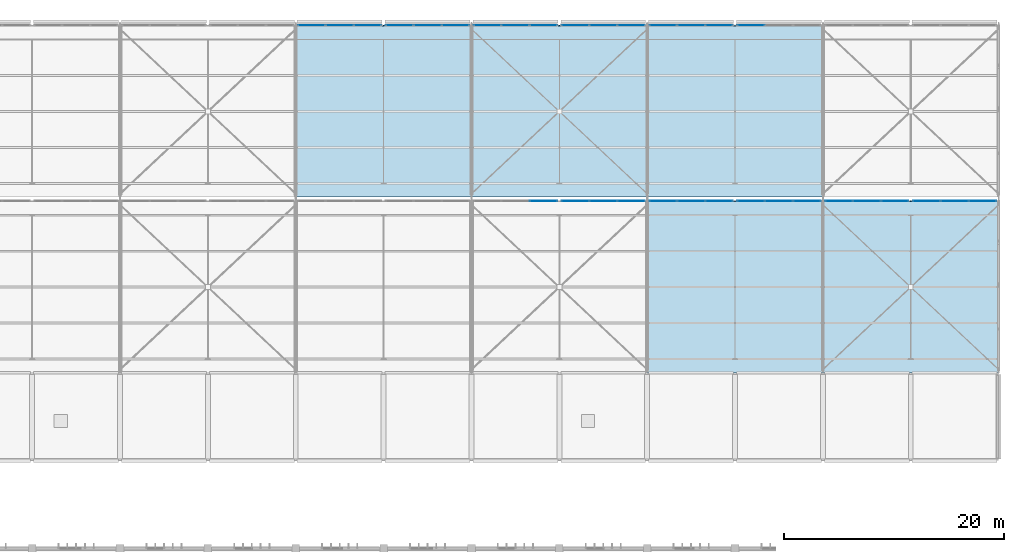
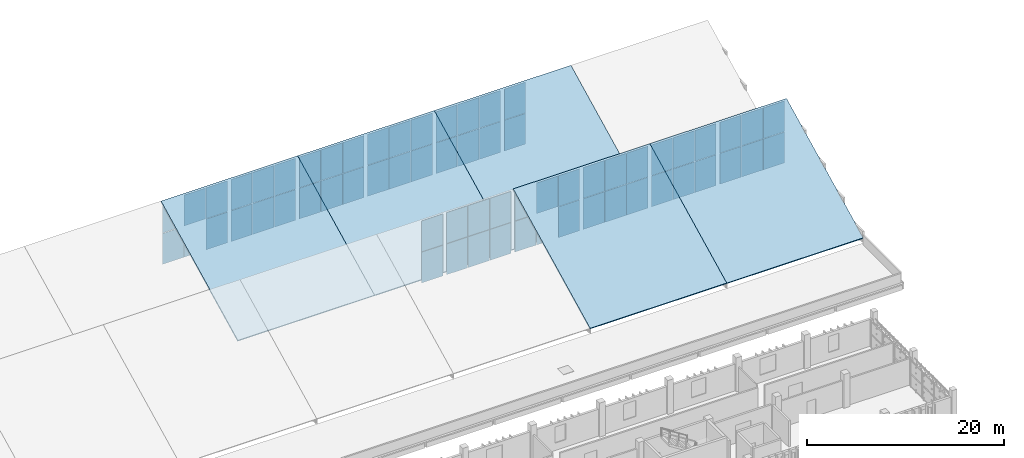
# One storey, part 98 of 137: 64 plates, 5 slabs, 12 elements without a shape of their own.
"""IFC4 building model written with IfcOpenShell, lengths in metres."""

from ifc_helpers import new_model, si_unit, direction, frame, origin, origin_2d, place, context, subcontext, project, spatial, polyline, rectangle, outline, extrude, material, layer, layer_set, type_object, element, aggregate, save


model = new_model("IFC4")

# Units and contexts
model_context = context("Model", 3, precision=1e-05, world=origin(), true_north=direction((0.0, 1.0)))
body_context = subcontext(model_context, "Body", "Model", "MODEL_VIEW")
ifc_project = project(units=[si_unit("LENGTHUNIT", "METRE"), si_unit("AREAUNIT", "SQUARE_METRE"), si_unit("VOLUMEUNIT", "CUBIC_METRE"), si_unit("PLANEANGLEUNIT", "RADIAN"), si_unit("MASSUNIT", "GRAM", prefix="KILO")], contexts=[model_context])

# Site, building, storey
site_placement = place(None, origin())
site = spatial("IfcSite", under=ifc_project, at=site_placement, CompositionType="ELEMENT")
building_placement = place(site_placement, origin())
building = spatial("IfcBuilding", under=site, at=building_placement, Name="Jelvoka-Kovrelna Polytechnic", CompositionType="ELEMENT")
storey_placement = place(building_placement, frame((0.0, 0.0, 9.60009765625)))
storey = spatial("IfcBuildingStorey", under=building, at=storey_placement, Name="L03", CompositionType="ELEMENT", Elevation=9.60009765625)

# Curtain wall, plates
ifc_material_1 = material(Name="Anodised aluminium 6063-T6", Category="aluminium")
ifc_layer_1 = layer(ifc_material_1, 0.199951171875)
ifc_layer_set_1 = layer_set([ifc_layer_1], Name="Anodised aluminium 6063-T6")
curtain_wall_type = type_object("IfcCurtainWallType", Name="CW_Clerestory", PredefinedType="NOTDEFINED", material=ifc_layer_set_1)
curtain_wall_1_placement = place(storey_placement, origin())
curtain_wall_1 = element("IfcCurtainWall", 1, at=curtain_wall_1_placement, inside=storey, type_object=curtain_wall_type, Name="L03 glazed curtain wall 196", PredefinedType="NOTDEFINED")
ifc_material_2 = material(Name="Solar-control double glazing", Category="glass")
ifc_layer_2 = layer(ifc_material_2, 0.035888671875)
ifc_layer_set_2 = layer_set([ifc_layer_2], Name="Solar-control double glazing")
plate_type = type_object("IfcPlateType", Name="Panel_GP-03", PredefinedType="CURTAIN_PANEL", material=ifc_layer_set_2)
plate_1_placement = place(storey_placement, frame((137.450927734375, 119.64990234375, 0.511962890625), z_axis=(0.0, 0.0, 1.0), x_axis=(1.0, 0.0, 0.0)))
plate_1 = element("IfcPlate", 2, at=plate_1_placement, type_object=plate_type, Name="CW-03 panel 1.1", PredefinedType="CURTAIN_PANEL", context=body_context, shape_type="SweptSolid", body=[
    extrude(rectangle(XDim=2.477783203125, YDim=0.035888671875, at=origin_2d()), origin(), (0.0, 0.0, 1.0), 3.81103515625),
])
plate_2_placement = place(storey_placement, frame((137.450927734375, 119.64990234375, 4.376953125), z_axis=(0.0, 0.0, 1.0), x_axis=(1.0, 0.0, 0.0)))
plate_2 = element("IfcPlate", 3, at=plate_2_placement, type_object=plate_type, Name="CW-03 panel 1.2", PredefinedType="CURTAIN_PANEL", context=body_context, shape_type="SweptSolid", body=[
    extrude(rectangle(XDim=2.477783203125, YDim=0.035888671875, at=origin_2d()), origin(), (0.0, 0.0, 1.0), 3.81103515625),
])
plate_3_placement = place(storey_placement, frame((140.0, 119.64990234375, 0.511962890625), z_axis=(0.0, 0.0, 1.0), x_axis=(1.0, 0.0, 0.0)))
plate_3 = element("IfcPlate", 4, at=plate_3_placement, type_object=plate_type, Name="CW-03 panel 2.1", PredefinedType="CURTAIN_PANEL", context=body_context, shape_type="SweptSolid", body=[
    extrude(rectangle(XDim=2.5126953125, YDim=0.035888671875, at=origin_2d()), origin(), (0.0, 0.0, 1.0), 3.81103515625),
])
plate_4_placement = place(storey_placement, frame((140.0, 119.64990234375, 4.376953125), z_axis=(0.0, 0.0, 1.0), x_axis=(1.0, 0.0, 0.0)))
plate_4 = element("IfcPlate", 5, at=plate_4_placement, type_object=plate_type, Name="CW-03 panel 2.2", PredefinedType="CURTAIN_PANEL", context=body_context, shape_type="SweptSolid", body=[
    extrude(rectangle(XDim=2.5126953125, YDim=0.035888671875, at=origin_2d()), origin(), (0.0, 0.0, 1.0), 3.81103515625),
])
plate_5_placement = place(storey_placement, frame((142.549072265625, 119.64990234375, 0.511962890625), z_axis=(0.0, 0.0, 1.0), x_axis=(1.0, 0.0, 0.0)))
plate_5 = element("IfcPlate", 6, at=plate_5_placement, type_object=plate_type, Name="CW-03 panel 3.1", PredefinedType="CURTAIN_PANEL", context=body_context, shape_type="SweptSolid", body=[
    extrude(rectangle(XDim=2.477783203125, YDim=0.035888671875, at=origin_2d()), origin(), (0.0, 0.0, 1.0), 3.81103515625),
])
plate_6_placement = place(storey_placement, frame((142.549072265625, 119.64990234375, 4.376953125), z_axis=(0.0, 0.0, 1.0), x_axis=(1.0, 0.0, 0.0)))
plate_6 = element("IfcPlate", 7, at=plate_6_placement, type_object=plate_type, Name="CW-03 panel 3.2", PredefinedType="CURTAIN_PANEL", context=body_context, shape_type="SweptSolid", body=[
    extrude(rectangle(XDim=2.477783203125, YDim=0.035888671875, at=origin_2d()), origin(), (0.0, 0.0, 1.0), 3.81103515625),
])
aggregate(curtain_wall_1, [plate_1, plate_2, plate_3, plate_4, plate_5, plate_6])

curtain_wall_2_placement = place(storey_placement, origin())
curtain_wall_2 = element("IfcCurtainWall", 8, at=curtain_wall_2_placement, inside=storey, type_object=curtain_wall_type, Name="L03 glazed curtain wall 198", PredefinedType="NOTDEFINED")
plate_7_placement = place(storey_placement, frame((145.450927734375, 119.64990234375, 0.511962890625), z_axis=(0.0, 0.0, 1.0), x_axis=(1.0, 0.0, 0.0)))
plate_7 = element("IfcPlate", 9, at=plate_7_placement, type_object=plate_type, Name="CW-03 panel 1.1", PredefinedType="CURTAIN_PANEL", context=body_context, shape_type="SweptSolid", body=[
    extrude(rectangle(XDim=2.477783203125, YDim=0.035888671875, at=origin_2d()), origin(), (0.0, 0.0, 1.0), 3.81103515625),
])
plate_8_placement = place(storey_placement, frame((145.450927734375, 119.64990234375, 4.376953125), z_axis=(0.0, 0.0, 1.0), x_axis=(1.0, 0.0, 0.0)))
plate_8 = element("IfcPlate", 10, at=plate_8_placement, type_object=plate_type, Name="CW-03 panel 1.2", PredefinedType="CURTAIN_PANEL", context=body_context, shape_type="SweptSolid", body=[
    extrude(rectangle(XDim=2.477783203125, YDim=0.035888671875, at=origin_2d()), origin(), (0.0, 0.0, 1.0), 3.81103515625),
])
plate_9_placement = place(storey_placement, frame((148.0, 119.64990234375, 0.511962890625), z_axis=(0.0, 0.0, 1.0), x_axis=(1.0, 0.0, 0.0)))
plate_9 = element("IfcPlate", 11, at=plate_9_placement, type_object=plate_type, Name="CW-03 panel 2.1", PredefinedType="CURTAIN_PANEL", context=body_context, shape_type="SweptSolid", body=[
    extrude(rectangle(XDim=2.5126953125, YDim=0.035888671875, at=origin_2d()), origin(), (0.0, 0.0, 1.0), 3.81103515625),
])
plate_10_placement = place(storey_placement, frame((148.0, 119.64990234375, 4.376953125), z_axis=(0.0, 0.0, 1.0), x_axis=(1.0, 0.0, 0.0)))
plate_10 = element("IfcPlate", 12, at=plate_10_placement, type_object=plate_type, Name="CW-03 panel 2.2", PredefinedType="CURTAIN_PANEL", context=body_context, shape_type="SweptSolid", body=[
    extrude(rectangle(XDim=2.5126953125, YDim=0.035888671875, at=origin_2d()), origin(), (0.0, 0.0, 1.0), 3.81103515625),
])
plate_11_placement = place(storey_placement, frame((150.549072265625, 119.64990234375, 0.511962890625), z_axis=(0.0, 0.0, 1.0), x_axis=(1.0, 0.0, 0.0)))
plate_11 = element("IfcPlate", 13, at=plate_11_placement, type_object=plate_type, Name="CW-03 panel 3.1", PredefinedType="CURTAIN_PANEL", context=body_context, shape_type="SweptSolid", body=[
    extrude(rectangle(XDim=2.477783203125, YDim=0.035888671875, at=origin_2d()), origin(), (0.0, 0.0, 1.0), 3.81103515625),
])
plate_12_placement = place(storey_placement, frame((150.549072265625, 119.64990234375, 4.376953125), z_axis=(0.0, 0.0, 1.0), x_axis=(1.0, 0.0, 0.0)))
plate_12 = element("IfcPlate", 14, at=plate_12_placement, type_object=plate_type, Name="CW-03 panel 3.2", PredefinedType="CURTAIN_PANEL", context=body_context, shape_type="SweptSolid", body=[
    extrude(rectangle(XDim=2.477783203125, YDim=0.035888671875, at=origin_2d()), origin(), (0.0, 0.0, 1.0), 3.81103515625),
])
aggregate(curtain_wall_2, [plate_7, plate_8, plate_9, plate_10, plate_11, plate_12])

curtain_wall_3_placement = place(storey_placement, origin())
curtain_wall_3 = element("IfcCurtainWall", 15, at=curtain_wall_3_placement, inside=storey, type_object=curtain_wall_type, Name="L03 glazed curtain wall 199", PredefinedType="NOTDEFINED")
plate_13_placement = place(storey_placement, frame((158.549072265625, 103.64990234375, 0.511962890625), z_axis=(0.0, 0.0, 1.0), x_axis=(1.0, 0.0, 0.0)))
plate_13 = element("IfcPlate", 16, at=plate_13_placement, type_object=plate_type, Name="CW-03 panel 3.1", PredefinedType="CURTAIN_PANEL", context=body_context, shape_type="SweptSolid", body=[
    extrude(rectangle(XDim=2.477783203125, YDim=0.035888671875, at=origin_2d()), origin(), (0.0, 0.0, 1.0), 3.81103515625),
])
plate_14_placement = place(storey_placement, frame((158.549072265625, 103.64990234375, 4.376953125), z_axis=(0.0, 0.0, 1.0), x_axis=(1.0, 0.0, 0.0)))
plate_14 = element("IfcPlate", 17, at=plate_14_placement, type_object=plate_type, Name="CW-03 panel 3.2", PredefinedType="CURTAIN_PANEL", context=body_context, shape_type="SweptSolid", body=[
    extrude(rectangle(XDim=2.477783203125, YDim=0.035888671875, at=origin_2d()), origin(), (0.0, 0.0, 1.0), 3.81103515625),
])
aggregate(curtain_wall_3, [plate_13, plate_14])

curtain_wall_4_placement = place(storey_placement, origin())
curtain_wall_4 = element("IfcCurtainWall", 18, at=curtain_wall_4_placement, inside=storey, type_object=curtain_wall_type, Name="L03 glazed curtain wall 200", PredefinedType="NOTDEFINED")
plate_15_placement = place(storey_placement, frame((153.450927734375, 119.64990234375, 0.511962890625), z_axis=(0.0, 0.0, 1.0), x_axis=(1.0, 0.0, 0.0)))
plate_15 = element("IfcPlate", 19, at=plate_15_placement, type_object=plate_type, Name="CW-03 panel 1.1", PredefinedType="CURTAIN_PANEL", context=body_context, shape_type="SweptSolid", body=[
    extrude(rectangle(XDim=2.477783203125, YDim=0.035888671875, at=origin_2d()), origin(), (0.0, 0.0, 1.0), 3.81103515625),
])
plate_16_placement = place(storey_placement, frame((153.450927734375, 119.64990234375, 4.376953125), z_axis=(0.0, 0.0, 1.0), x_axis=(1.0, 0.0, 0.0)))
plate_16 = element("IfcPlate", 20, at=plate_16_placement, type_object=plate_type, Name="CW-03 panel 1.2", PredefinedType="CURTAIN_PANEL", context=body_context, shape_type="SweptSolid", body=[
    extrude(rectangle(XDim=2.477783203125, YDim=0.035888671875, at=origin_2d()), origin(), (0.0, 0.0, 1.0), 3.81103515625),
])
plate_17_placement = place(storey_placement, frame((156.0, 119.64990234375, 0.511962890625), z_axis=(0.0, 0.0, 1.0), x_axis=(1.0, 0.0, 0.0)))
plate_17 = element("IfcPlate", 21, at=plate_17_placement, type_object=plate_type, Name="CW-03 panel 2.1", PredefinedType="CURTAIN_PANEL", context=body_context, shape_type="SweptSolid", body=[
    extrude(rectangle(XDim=2.5126953125, YDim=0.035888671875, at=origin_2d()), origin(), (0.0, 0.0, 1.0), 3.81103515625),
])
plate_18_placement = place(storey_placement, frame((156.0, 119.64990234375, 4.376953125), z_axis=(0.0, 0.0, 1.0), x_axis=(1.0, 0.0, 0.0)))
plate_18 = element("IfcPlate", 22, at=plate_18_placement, type_object=plate_type, Name="CW-03 panel 2.2", PredefinedType="CURTAIN_PANEL", context=body_context, shape_type="SweptSolid", body=[
    extrude(rectangle(XDim=2.5126953125, YDim=0.035888671875, at=origin_2d()), origin(), (0.0, 0.0, 1.0), 3.81103515625),
])
plate_19_placement = place(storey_placement, frame((158.549072265625, 119.64990234375, 0.511962890625), z_axis=(0.0, 0.0, 1.0), x_axis=(1.0, 0.0, 0.0)))
plate_19 = element("IfcPlate", 23, at=plate_19_placement, type_object=plate_type, Name="CW-03 panel 3.1", PredefinedType="CURTAIN_PANEL", context=body_context, shape_type="SweptSolid", body=[
    extrude(rectangle(XDim=2.477783203125, YDim=0.035888671875, at=origin_2d()), origin(), (0.0, 0.0, 1.0), 3.81103515625),
])
plate_20_placement = place(storey_placement, frame((158.549072265625, 119.64990234375, 4.376953125), z_axis=(0.0, 0.0, 1.0), x_axis=(1.0, 0.0, 0.0)))
plate_20 = element("IfcPlate", 24, at=plate_20_placement, type_object=plate_type, Name="CW-03 panel 3.2", PredefinedType="CURTAIN_PANEL", context=body_context, shape_type="SweptSolid", body=[
    extrude(rectangle(XDim=2.477783203125, YDim=0.035888671875, at=origin_2d()), origin(), (0.0, 0.0, 1.0), 3.81103515625),
])
aggregate(curtain_wall_4, [plate_15, plate_16, plate_17, plate_18, plate_19, plate_20])

curtain_wall_5_placement = place(storey_placement, origin())
curtain_wall_5 = element("IfcCurtainWall", 25, at=curtain_wall_5_placement, inside=storey, type_object=curtain_wall_type, Name="L03 glazed curtain wall 201", PredefinedType="NOTDEFINED")
plate_21_placement = place(storey_placement, frame((161.450927734375, 103.64990234375, 0.511962890625), z_axis=(0.0, 0.0, 1.0), x_axis=(1.0, 0.0, 0.0)))
plate_21 = element("IfcPlate", 26, at=plate_21_placement, type_object=plate_type, Name="CW-03 panel 1.1", PredefinedType="CURTAIN_PANEL", context=body_context, shape_type="SweptSolid", body=[
    extrude(rectangle(XDim=2.477783203125, YDim=0.035888671875, at=origin_2d()), origin(), (0.0, 0.0, 1.0), 3.81103515625),
])
plate_22_placement = place(storey_placement, frame((161.450927734375, 103.64990234375, 4.376953125), z_axis=(0.0, 0.0, 1.0), x_axis=(1.0, 0.0, 0.0)))
plate_22 = element("IfcPlate", 27, at=plate_22_placement, type_object=plate_type, Name="CW-03 panel 1.2", PredefinedType="CURTAIN_PANEL", context=body_context, shape_type="SweptSolid", body=[
    extrude(rectangle(XDim=2.477783203125, YDim=0.035888671875, at=origin_2d()), origin(), (0.0, 0.0, 1.0), 3.81103515625),
])
plate_23_placement = place(storey_placement, frame((164.0, 103.64990234375, 0.511962890625), z_axis=(0.0, 0.0, 1.0), x_axis=(1.0, 0.0, 0.0)))
plate_23 = element("IfcPlate", 28, at=plate_23_placement, type_object=plate_type, Name="CW-03 panel 2.1", PredefinedType="CURTAIN_PANEL", context=body_context, shape_type="SweptSolid", body=[
    extrude(rectangle(XDim=2.5126953125, YDim=0.035888671875, at=origin_2d()), origin(), (0.0, 0.0, 1.0), 3.81103515625),
])
plate_24_placement = place(storey_placement, frame((164.0, 103.64990234375, 4.376953125), z_axis=(0.0, 0.0, 1.0), x_axis=(1.0, 0.0, 0.0)))
plate_24 = element("IfcPlate", 29, at=plate_24_placement, type_object=plate_type, Name="CW-03 panel 2.2", PredefinedType="CURTAIN_PANEL", context=body_context, shape_type="SweptSolid", body=[
    extrude(rectangle(XDim=2.5126953125, YDim=0.035888671875, at=origin_2d()), origin(), (0.0, 0.0, 1.0), 3.81103515625),
])
plate_25_placement = place(storey_placement, frame((166.549072265625, 103.64990234375, 0.511962890625), z_axis=(0.0, 0.0, 1.0), x_axis=(1.0, 0.0, 0.0)))
plate_25 = element("IfcPlate", 30, at=plate_25_placement, type_object=plate_type, Name="CW-03 panel 3.1", PredefinedType="CURTAIN_PANEL", context=body_context, shape_type="SweptSolid", body=[
    extrude(rectangle(XDim=2.477783203125, YDim=0.035888671875, at=origin_2d()), origin(), (0.0, 0.0, 1.0), 3.81103515625),
])
plate_26_placement = place(storey_placement, frame((166.549072265625, 103.64990234375, 4.376953125), z_axis=(0.0, 0.0, 1.0), x_axis=(1.0, 0.0, 0.0)))
plate_26 = element("IfcPlate", 31, at=plate_26_placement, type_object=plate_type, Name="CW-03 panel 3.2", PredefinedType="CURTAIN_PANEL", context=body_context, shape_type="SweptSolid", body=[
    extrude(rectangle(XDim=2.477783203125, YDim=0.035888671875, at=origin_2d()), origin(), (0.0, 0.0, 1.0), 3.81103515625),
])
aggregate(curtain_wall_5, [plate_21, plate_22, plate_23, plate_24, plate_25, plate_26])

curtain_wall_6_placement = place(storey_placement, origin())
curtain_wall_6 = element("IfcCurtainWall", 32, at=curtain_wall_6_placement, inside=storey, type_object=curtain_wall_type, Name="L03 glazed curtain wall 202", PredefinedType="NOTDEFINED")
plate_27_placement = place(storey_placement, frame((161.450927734375, 119.64990234375, 0.511962890625), z_axis=(0.0, 0.0, 1.0), x_axis=(1.0, 0.0, 0.0)))
plate_27 = element("IfcPlate", 33, at=plate_27_placement, type_object=plate_type, Name="CW-03 panel 1.1", PredefinedType="CURTAIN_PANEL", context=body_context, shape_type="SweptSolid", body=[
    extrude(rectangle(XDim=2.477783203125, YDim=0.035888671875, at=origin_2d()), origin(), (0.0, 0.0, 1.0), 3.81103515625),
])
plate_28_placement = place(storey_placement, frame((161.450927734375, 119.64990234375, 4.376953125), z_axis=(0.0, 0.0, 1.0), x_axis=(1.0, 0.0, 0.0)))
plate_28 = element("IfcPlate", 34, at=plate_28_placement, type_object=plate_type, Name="CW-03 panel 1.2", PredefinedType="CURTAIN_PANEL", context=body_context, shape_type="SweptSolid", body=[
    extrude(rectangle(XDim=2.477783203125, YDim=0.035888671875, at=origin_2d()), origin(), (0.0, 0.0, 1.0), 3.81103515625),
])
plate_29_placement = place(storey_placement, frame((164.0, 119.64990234375, 0.511962890625), z_axis=(0.0, 0.0, 1.0), x_axis=(1.0, 0.0, 0.0)))
plate_29 = element("IfcPlate", 35, at=plate_29_placement, type_object=plate_type, Name="CW-03 panel 2.1", PredefinedType="CURTAIN_PANEL", context=body_context, shape_type="SweptSolid", body=[
    extrude(rectangle(XDim=2.5126953125, YDim=0.035888671875, at=origin_2d()), origin(), (0.0, 0.0, 1.0), 3.81103515625),
])
plate_30_placement = place(storey_placement, frame((164.0, 119.64990234375, 4.376953125), z_axis=(0.0, 0.0, 1.0), x_axis=(1.0, 0.0, 0.0)))
plate_30 = element("IfcPlate", 36, at=plate_30_placement, type_object=plate_type, Name="CW-03 panel 2.2", PredefinedType="CURTAIN_PANEL", context=body_context, shape_type="SweptSolid", body=[
    extrude(rectangle(XDim=2.5126953125, YDim=0.035888671875, at=origin_2d()), origin(), (0.0, 0.0, 1.0), 3.81103515625),
])
plate_31_placement = place(storey_placement, frame((166.549072265625, 119.64990234375, 0.511962890625), z_axis=(0.0, 0.0, 1.0), x_axis=(1.0, 0.0, 0.0)))
plate_31 = element("IfcPlate", 37, at=plate_31_placement, type_object=plate_type, Name="CW-03 panel 3.1", PredefinedType="CURTAIN_PANEL", context=body_context, shape_type="SweptSolid", body=[
    extrude(rectangle(XDim=2.477783203125, YDim=0.035888671875, at=origin_2d()), origin(), (0.0, 0.0, 1.0), 3.81103515625),
])
plate_32_placement = place(storey_placement, frame((166.549072265625, 119.64990234375, 4.376953125), z_axis=(0.0, 0.0, 1.0), x_axis=(1.0, 0.0, 0.0)))
plate_32 = element("IfcPlate", 38, at=plate_32_placement, type_object=plate_type, Name="CW-03 panel 3.2", PredefinedType="CURTAIN_PANEL", context=body_context, shape_type="SweptSolid", body=[
    extrude(rectangle(XDim=2.477783203125, YDim=0.035888671875, at=origin_2d()), origin(), (0.0, 0.0, 1.0), 3.81103515625),
])
aggregate(curtain_wall_6, [plate_27, plate_28, plate_29, plate_30, plate_31, plate_32])

curtain_wall_7_placement = place(storey_placement, origin())
curtain_wall_7 = element("IfcCurtainWall", 39, at=curtain_wall_7_placement, inside=storey, type_object=curtain_wall_type, Name="L03 glazed curtain wall 203", PredefinedType="NOTDEFINED")
plate_33_placement = place(storey_placement, frame((169.450927734375, 103.64990234375, 0.511962890625), z_axis=(0.0, 0.0, 1.0), x_axis=(1.0, 0.0, 0.0)))
plate_33 = element("IfcPlate", 40, at=plate_33_placement, type_object=plate_type, Name="CW-03 panel 1.1", PredefinedType="CURTAIN_PANEL", context=body_context, shape_type="SweptSolid", body=[
    extrude(rectangle(XDim=2.477783203125, YDim=0.035888671875, at=origin_2d()), origin(), (0.0, 0.0, 1.0), 3.81103515625),
])
plate_34_placement = place(storey_placement, frame((169.450927734375, 103.64990234375, 4.376953125), z_axis=(0.0, 0.0, 1.0), x_axis=(1.0, 0.0, 0.0)))
plate_34 = element("IfcPlate", 41, at=plate_34_placement, type_object=plate_type, Name="CW-03 panel 1.2", PredefinedType="CURTAIN_PANEL", context=body_context, shape_type="SweptSolid", body=[
    extrude(rectangle(XDim=2.477783203125, YDim=0.035888671875, at=origin_2d()), origin(), (0.0, 0.0, 1.0), 3.81103515625),
])
plate_35_placement = place(storey_placement, frame((172.0, 103.64990234375, 0.511962890625), z_axis=(0.0, 0.0, 1.0), x_axis=(1.0, 0.0, 0.0)))
plate_35 = element("IfcPlate", 42, at=plate_35_placement, type_object=plate_type, Name="CW-03 panel 2.1", PredefinedType="CURTAIN_PANEL", context=body_context, shape_type="SweptSolid", body=[
    extrude(rectangle(XDim=2.5126953125, YDim=0.035888671875, at=origin_2d()), origin(), (0.0, 0.0, 1.0), 3.81103515625),
])
plate_36_placement = place(storey_placement, frame((172.0, 103.64990234375, 4.376953125), z_axis=(0.0, 0.0, 1.0), x_axis=(1.0, 0.0, 0.0)))
plate_36 = element("IfcPlate", 43, at=plate_36_placement, type_object=plate_type, Name="CW-03 panel 2.2", PredefinedType="CURTAIN_PANEL", context=body_context, shape_type="SweptSolid", body=[
    extrude(rectangle(XDim=2.5126953125, YDim=0.035888671875, at=origin_2d()), origin(), (0.0, 0.0, 1.0), 3.81103515625),
])
plate_37_placement = place(storey_placement, frame((174.549072265625, 103.64990234375, 0.511962890625), z_axis=(0.0, 0.0, 1.0), x_axis=(1.0, 0.0, 0.0)))
plate_37 = element("IfcPlate", 44, at=plate_37_placement, type_object=plate_type, Name="CW-03 panel 3.1", PredefinedType="CURTAIN_PANEL", context=body_context, shape_type="SweptSolid", body=[
    extrude(rectangle(XDim=2.477783203125, YDim=0.035888671875, at=origin_2d()), origin(), (0.0, 0.0, 1.0), 3.81103515625),
])
plate_38_placement = place(storey_placement, frame((174.549072265625, 103.64990234375, 4.376953125), z_axis=(0.0, 0.0, 1.0), x_axis=(1.0, 0.0, 0.0)))
plate_38 = element("IfcPlate", 45, at=plate_38_placement, type_object=plate_type, Name="CW-03 panel 3.2", PredefinedType="CURTAIN_PANEL", context=body_context, shape_type="SweptSolid", body=[
    extrude(rectangle(XDim=2.477783203125, YDim=0.035888671875, at=origin_2d()), origin(), (0.0, 0.0, 1.0), 3.81103515625),
])
aggregate(curtain_wall_7, [plate_33, plate_34, plate_35, plate_36, plate_37, plate_38])

curtain_wall_8_placement = place(storey_placement, origin())
curtain_wall_8 = element("IfcCurtainWall", 46, at=curtain_wall_8_placement, inside=storey, type_object=curtain_wall_type, Name="L03 glazed curtain wall 204", PredefinedType="NOTDEFINED")
plate_39_placement = place(storey_placement, frame((169.450927734375, 119.64990234375, 0.511962890625), z_axis=(0.0, 0.0, 1.0), x_axis=(1.0, 0.0, 0.0)))
plate_39 = element("IfcPlate", 47, at=plate_39_placement, type_object=plate_type, Name="CW-03 panel 1.1", PredefinedType="CURTAIN_PANEL", context=body_context, shape_type="SweptSolid", body=[
    extrude(rectangle(XDim=2.477783203125, YDim=0.035888671875, at=origin_2d()), origin(), (0.0, 0.0, 1.0), 3.81103515625),
])
plate_40_placement = place(storey_placement, frame((169.450927734375, 119.64990234375, 4.376953125), z_axis=(0.0, 0.0, 1.0), x_axis=(1.0, 0.0, 0.0)))
plate_40 = element("IfcPlate", 48, at=plate_40_placement, type_object=plate_type, Name="CW-03 panel 1.2", PredefinedType="CURTAIN_PANEL", context=body_context, shape_type="SweptSolid", body=[
    extrude(rectangle(XDim=2.477783203125, YDim=0.035888671875, at=origin_2d()), origin(), (0.0, 0.0, 1.0), 3.81103515625),
])
plate_41_placement = place(storey_placement, frame((172.0, 119.64990234375, 0.511962890625), z_axis=(0.0, 0.0, 1.0), x_axis=(1.0, 0.0, 0.0)))
plate_41 = element("IfcPlate", 49, at=plate_41_placement, type_object=plate_type, Name="CW-03 panel 2.1", PredefinedType="CURTAIN_PANEL", context=body_context, shape_type="SweptSolid", body=[
    extrude(rectangle(XDim=2.5126953125, YDim=0.035888671875, at=origin_2d()), origin(), (0.0, 0.0, 1.0), 3.81103515625),
])
plate_42_placement = place(storey_placement, frame((172.0, 119.64990234375, 4.376953125), z_axis=(0.0, 0.0, 1.0), x_axis=(1.0, 0.0, 0.0)))
plate_42 = element("IfcPlate", 50, at=plate_42_placement, type_object=plate_type, Name="CW-03 panel 2.2", PredefinedType="CURTAIN_PANEL", context=body_context, shape_type="SweptSolid", body=[
    extrude(rectangle(XDim=2.5126953125, YDim=0.035888671875, at=origin_2d()), origin(), (0.0, 0.0, 1.0), 3.81103515625),
])
plate_43_placement = place(storey_placement, frame((174.549072265625, 119.64990234375, 0.511962890625), z_axis=(0.0, 0.0, 1.0), x_axis=(1.0, 0.0, 0.0)))
plate_43 = element("IfcPlate", 51, at=plate_43_placement, type_object=plate_type, Name="CW-03 panel 3.1", PredefinedType="CURTAIN_PANEL", context=body_context, shape_type="SweptSolid", body=[
    extrude(rectangle(XDim=2.477783203125, YDim=0.035888671875, at=origin_2d()), origin(), (0.0, 0.0, 1.0), 3.81103515625),
])
plate_44_placement = place(storey_placement, frame((174.549072265625, 119.64990234375, 4.376953125), z_axis=(0.0, 0.0, 1.0), x_axis=(1.0, 0.0, 0.0)))
plate_44 = element("IfcPlate", 52, at=plate_44_placement, type_object=plate_type, Name="CW-03 panel 3.2", PredefinedType="CURTAIN_PANEL", context=body_context, shape_type="SweptSolid", body=[
    extrude(rectangle(XDim=2.477783203125, YDim=0.035888671875, at=origin_2d()), origin(), (0.0, 0.0, 1.0), 3.81103515625),
])
aggregate(curtain_wall_8, [plate_39, plate_40, plate_41, plate_42, plate_43, plate_44])

curtain_wall_9_placement = place(storey_placement, origin())
curtain_wall_9 = element("IfcCurtainWall", 53, at=curtain_wall_9_placement, inside=storey, type_object=curtain_wall_type, Name="L03 glazed curtain wall 205", PredefinedType="NOTDEFINED")
plate_45_placement = place(storey_placement, frame((177.450927734375, 103.64990234375, 0.511962890625), z_axis=(0.0, 0.0, 1.0), x_axis=(1.0, 0.0, 0.0)))
plate_45 = element("IfcPlate", 54, at=plate_45_placement, type_object=plate_type, Name="CW-03 panel 1.1", PredefinedType="CURTAIN_PANEL", context=body_context, shape_type="SweptSolid", body=[
    extrude(rectangle(XDim=2.477783203125, YDim=0.035888671875, at=origin_2d()), origin(), (0.0, 0.0, 1.0), 3.81103515625),
])
plate_46_placement = place(storey_placement, frame((177.450927734375, 103.64990234375, 4.376953125), z_axis=(0.0, 0.0, 1.0), x_axis=(1.0, 0.0, 0.0)))
plate_46 = element("IfcPlate", 55, at=plate_46_placement, type_object=plate_type, Name="CW-03 panel 1.2", PredefinedType="CURTAIN_PANEL", context=body_context, shape_type="SweptSolid", body=[
    extrude(rectangle(XDim=2.477783203125, YDim=0.035888671875, at=origin_2d()), origin(), (0.0, 0.0, 1.0), 3.81103515625),
])
plate_47_placement = place(storey_placement, frame((180.0, 103.64990234375, 0.511962890625), z_axis=(0.0, 0.0, 1.0), x_axis=(1.0, 0.0, 0.0)))
plate_47 = element("IfcPlate", 56, at=plate_47_placement, type_object=plate_type, Name="CW-03 panel 2.1", PredefinedType="CURTAIN_PANEL", context=body_context, shape_type="SweptSolid", body=[
    extrude(rectangle(XDim=2.5126953125, YDim=0.035888671875, at=origin_2d()), origin(), (0.0, 0.0, 1.0), 3.81103515625),
])
plate_48_placement = place(storey_placement, frame((180.0, 103.64990234375, 4.376953125), z_axis=(0.0, 0.0, 1.0), x_axis=(1.0, 0.0, 0.0)))
plate_48 = element("IfcPlate", 57, at=plate_48_placement, type_object=plate_type, Name="CW-03 panel 2.2", PredefinedType="CURTAIN_PANEL", context=body_context, shape_type="SweptSolid", body=[
    extrude(rectangle(XDim=2.5126953125, YDim=0.035888671875, at=origin_2d()), origin(), (0.0, 0.0, 1.0), 3.81103515625),
])
plate_49_placement = place(storey_placement, frame((182.549072265625, 103.64990234375, 0.511962890625), z_axis=(0.0, 0.0, 1.0), x_axis=(1.0, 0.0, 0.0)))
plate_49 = element("IfcPlate", 58, at=plate_49_placement, type_object=plate_type, Name="CW-03 panel 3.1", PredefinedType="CURTAIN_PANEL", context=body_context, shape_type="SweptSolid", body=[
    extrude(rectangle(XDim=2.477783203125, YDim=0.035888671875, at=origin_2d()), origin(), (0.0, 0.0, 1.0), 3.81103515625),
])
plate_50_placement = place(storey_placement, frame((182.549072265625, 103.64990234375, 4.376953125), z_axis=(0.0, 0.0, 1.0), x_axis=(1.0, 0.0, 0.0)))
plate_50 = element("IfcPlate", 59, at=plate_50_placement, type_object=plate_type, Name="CW-03 panel 3.2", PredefinedType="CURTAIN_PANEL", context=body_context, shape_type="SweptSolid", body=[
    extrude(rectangle(XDim=2.477783203125, YDim=0.035888671875, at=origin_2d()), origin(), (0.0, 0.0, 1.0), 3.81103515625),
])
aggregate(curtain_wall_9, [plate_45, plate_46, plate_47, plate_48, plate_49, plate_50])

curtain_wall_10_placement = place(storey_placement, origin())
curtain_wall_10 = element("IfcCurtainWall", 60, at=curtain_wall_10_placement, inside=storey, type_object=curtain_wall_type, Name="L03 glazed curtain wall 206", PredefinedType="NOTDEFINED")
plate_51_placement = place(storey_placement, frame((177.450927734375, 119.64990234375, 0.511962890625), z_axis=(0.0, 0.0, 1.0), x_axis=(1.0, 0.0, 0.0)))
plate_51 = element("IfcPlate", 61, at=plate_51_placement, type_object=plate_type, Name="CW-03 panel 1.1", PredefinedType="CURTAIN_PANEL", context=body_context, shape_type="SweptSolid", body=[
    extrude(rectangle(XDim=2.477783203125, YDim=0.035888671875, at=origin_2d()), origin(), (0.0, 0.0, 1.0), 3.81103515625),
])
plate_52_placement = place(storey_placement, frame((177.450927734375, 119.64990234375, 4.376953125), z_axis=(0.0, 0.0, 1.0), x_axis=(1.0, 0.0, 0.0)))
plate_52 = element("IfcPlate", 62, at=plate_52_placement, type_object=plate_type, Name="CW-03 panel 1.2", PredefinedType="CURTAIN_PANEL", context=body_context, shape_type="SweptSolid", body=[
    extrude(rectangle(XDim=2.477783203125, YDim=0.035888671875, at=origin_2d()), origin(), (0.0, 0.0, 1.0), 3.81103515625),
])
aggregate(curtain_wall_10, [plate_51, plate_52])

curtain_wall_11_placement = place(storey_placement, origin())
curtain_wall_11 = element("IfcCurtainWall", 63, at=curtain_wall_11_placement, inside=storey, type_object=curtain_wall_type, Name="L03 glazed curtain wall 207", PredefinedType="NOTDEFINED")
plate_53_placement = place(storey_placement, frame((185.450927734375, 103.64990234375, 0.511962890625), z_axis=(0.0, 0.0, 1.0), x_axis=(1.0, 0.0, 0.0)))
plate_53 = element("IfcPlate", 64, at=plate_53_placement, type_object=plate_type, Name="CW-03 panel 1.1", PredefinedType="CURTAIN_PANEL", context=body_context, shape_type="SweptSolid", body=[
    extrude(rectangle(XDim=2.477783203125, YDim=0.035888671875, at=origin_2d()), origin(), (0.0, 0.0, 1.0), 3.81103515625),
])
plate_54_placement = place(storey_placement, frame((185.450927734375, 103.64990234375, 4.376953125), z_axis=(0.0, 0.0, 1.0), x_axis=(1.0, 0.0, 0.0)))
plate_54 = element("IfcPlate", 65, at=plate_54_placement, type_object=plate_type, Name="CW-03 panel 1.2", PredefinedType="CURTAIN_PANEL", context=body_context, shape_type="SweptSolid", body=[
    extrude(rectangle(XDim=2.477783203125, YDim=0.035888671875, at=origin_2d()), origin(), (0.0, 0.0, 1.0), 3.81103515625),
])
plate_55_placement = place(storey_placement, frame((188.0, 103.64990234375, 0.511962890625), z_axis=(0.0, 0.0, 1.0), x_axis=(1.0, 0.0, 0.0)))
plate_55 = element("IfcPlate", 66, at=plate_55_placement, type_object=plate_type, Name="CW-03 panel 2.1", PredefinedType="CURTAIN_PANEL", context=body_context, shape_type="SweptSolid", body=[
    extrude(rectangle(XDim=2.5126953125, YDim=0.035888671875, at=origin_2d()), origin(), (0.0, 0.0, 1.0), 3.81103515625),
])
plate_56_placement = place(storey_placement, frame((188.0, 103.64990234375, 4.376953125), z_axis=(0.0, 0.0, 1.0), x_axis=(1.0, 0.0, 0.0)))
plate_56 = element("IfcPlate", 67, at=plate_56_placement, type_object=plate_type, Name="CW-03 panel 2.2", PredefinedType="CURTAIN_PANEL", context=body_context, shape_type="SweptSolid", body=[
    extrude(rectangle(XDim=2.5126953125, YDim=0.035888671875, at=origin_2d()), origin(), (0.0, 0.0, 1.0), 3.81103515625),
])
plate_57_placement = place(storey_placement, frame((190.549072265625, 103.64990234375, 0.511962890625), z_axis=(0.0, 0.0, 1.0), x_axis=(1.0, 0.0, 0.0)))
plate_57 = element("IfcPlate", 68, at=plate_57_placement, type_object=plate_type, Name="CW-03 panel 3.1", PredefinedType="CURTAIN_PANEL", context=body_context, shape_type="SweptSolid", body=[
    extrude(rectangle(XDim=2.477783203125, YDim=0.035888671875, at=origin_2d()), origin(), (0.0, 0.0, 1.0), 3.81103515625),
])
plate_58_placement = place(storey_placement, frame((190.549072265625, 103.64990234375, 4.376953125), z_axis=(0.0, 0.0, 1.0), x_axis=(1.0, 0.0, 0.0)))
plate_58 = element("IfcPlate", 69, at=plate_58_placement, type_object=plate_type, Name="CW-03 panel 3.2", PredefinedType="CURTAIN_PANEL", context=body_context, shape_type="SweptSolid", body=[
    extrude(rectangle(XDim=2.477783203125, YDim=0.035888671875, at=origin_2d()), origin(), (0.0, 0.0, 1.0), 3.81103515625),
])
aggregate(curtain_wall_11, [plate_53, plate_54, plate_55, plate_56, plate_57, plate_58])

curtain_wall_12_placement = place(storey_placement, origin())
curtain_wall_12 = element("IfcCurtainWall", 70, at=curtain_wall_12_placement, inside=storey, type_object=curtain_wall_type, Name="L03 glazed curtain wall 209", PredefinedType="NOTDEFINED")
plate_59_placement = place(storey_placement, frame((193.450927734375, 103.64990234375, 0.511962890625), z_axis=(0.0, 0.0, 1.0), x_axis=(1.0, 0.0, 0.0)))
plate_59 = element("IfcPlate", 71, at=plate_59_placement, type_object=plate_type, Name="CW-03 panel 1.1", PredefinedType="CURTAIN_PANEL", context=body_context, shape_type="SweptSolid", body=[
    extrude(rectangle(XDim=2.477783203125, YDim=0.035888671875, at=origin_2d()), origin(), (0.0, 0.0, 1.0), 3.81103515625),
])
plate_60_placement = place(storey_placement, frame((193.450927734375, 103.64990234375, 4.376953125), z_axis=(0.0, 0.0, 1.0), x_axis=(1.0, 0.0, 0.0)))
plate_60 = element("IfcPlate", 72, at=plate_60_placement, type_object=plate_type, Name="CW-03 panel 1.2", PredefinedType="CURTAIN_PANEL", context=body_context, shape_type="SweptSolid", body=[
    extrude(rectangle(XDim=2.477783203125, YDim=0.035888671875, at=origin_2d()), origin(), (0.0, 0.0, 1.0), 3.81103515625),
])
plate_61_placement = place(storey_placement, frame((196.0, 103.64990234375, 0.511962890625), z_axis=(0.0, 0.0, 1.0), x_axis=(1.0, 0.0, 0.0)))
plate_61 = element("IfcPlate", 73, at=plate_61_placement, type_object=plate_type, Name="CW-03 panel 2.1", PredefinedType="CURTAIN_PANEL", context=body_context, shape_type="SweptSolid", body=[
    extrude(rectangle(XDim=2.5126953125, YDim=0.035888671875, at=origin_2d()), origin(), (0.0, 0.0, 1.0), 3.81103515625),
])
plate_62_placement = place(storey_placement, frame((196.0, 103.64990234375, 4.376953125), z_axis=(0.0, 0.0, 1.0), x_axis=(1.0, 0.0, 0.0)))
plate_62 = element("IfcPlate", 74, at=plate_62_placement, type_object=plate_type, Name="CW-03 panel 2.2", PredefinedType="CURTAIN_PANEL", context=body_context, shape_type="SweptSolid", body=[
    extrude(rectangle(XDim=2.5126953125, YDim=0.035888671875, at=origin_2d()), origin(), (0.0, 0.0, 1.0), 3.81103515625),
])
plate_63_placement = place(storey_placement, frame((198.549072265625, 103.64990234375, 0.511962890625), z_axis=(0.0, 0.0, 1.0), x_axis=(1.0, 0.0, 0.0)))
plate_63 = element("IfcPlate", 75, at=plate_63_placement, type_object=plate_type, Name="CW-03 panel 3.1", PredefinedType="CURTAIN_PANEL", context=body_context, shape_type="SweptSolid", body=[
    extrude(rectangle(XDim=2.477783203125, YDim=0.035888671875, at=origin_2d()), origin(), (0.0, 0.0, 1.0), 3.81103515625),
])
plate_64_placement = place(storey_placement, frame((198.549072265625, 103.64990234375, 4.376953125), z_axis=(0.0, 0.0, 1.0), x_axis=(1.0, 0.0, 0.0)))
plate_64 = element("IfcPlate", 76, at=plate_64_placement, type_object=plate_type, Name="CW-03 panel 3.2", PredefinedType="CURTAIN_PANEL", context=body_context, shape_type="SweptSolid", body=[
    extrude(rectangle(XDim=2.477783203125, YDim=0.035888671875, at=origin_2d()), origin(), (0.0, 0.0, 1.0), 3.81103515625),
])
aggregate(curtain_wall_12, [plate_59, plate_60, plate_61, plate_62, plate_63, plate_64])

# Slabs
ifc_material_3 = material(Name="Precast concrete C40/50", Category="concrete")
ifc_layer_3 = layer(ifc_material_3, 0.179931640625)
ifc_layer_set_3 = layer_set([ifc_layer_3], Name="Precast concrete C40/50")
slab_type = type_object("IfcSlabType", Name="Slab_Roof_Sawtooth_180", PredefinedType="ROOF", material=ifc_layer_set_3)
for number, where, z_axis, x_axis, name in (
    (77, (136.0, 104.0, 0.639892578125), (0.0, -0.4472135955, 0.894427191), (1.0, 0.0, 0.0), "V1 sawtooth south roof deck bay 4.2"),
    (78, (152.0, 104.0, 0.639892578125), (0.0, -0.4472135955, 0.894427191), (1.0, 0.0, 0.0), "V1 sawtooth south roof deck bay 5.2"),
    (79, (168.0, 88.0, 0.639892578125), (0.0, -0.4472135955, 0.894427191), (1.0, 0.0, 0.0), "V1 sawtooth south roof deck bay 6.1"),
    (80, (168.0, 104.0, 0.639892578125), (0.0, -0.4472135955, 0.894427191), (1.0, 0.0, 0.0), "V1 sawtooth south roof deck bay 6.2"),
    (81, (184.0, 88.0, 0.639892578125), (0.0, -0.4472135955, 0.894427191), (1.0, 0.0, 0.0), "V1 sawtooth south roof deck bay 7.1"),
):
    element("IfcSlab", number, at=place(storey_placement, frame(where, z_axis=z_axis, x_axis=x_axis)), inside=storey, type_object=slab_type, Name=name, PredefinedType="ROOF", context=body_context, shape_type="SweptSolid", body=[
        extrude(outline(polyline([(0.0, 0.0), (16.0, 0.0), (16.0, 17.441439407505076), (0.0, 17.441439407505076), (0.0, 0.0)])), origin(), (0.0, 0.0, -1.0), 0.179931640625),
    ])

save(model, "model.ifc")
